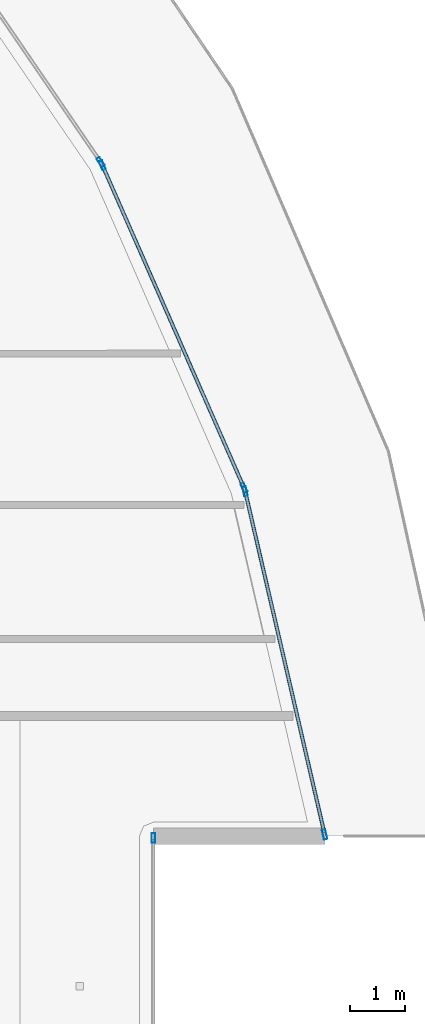
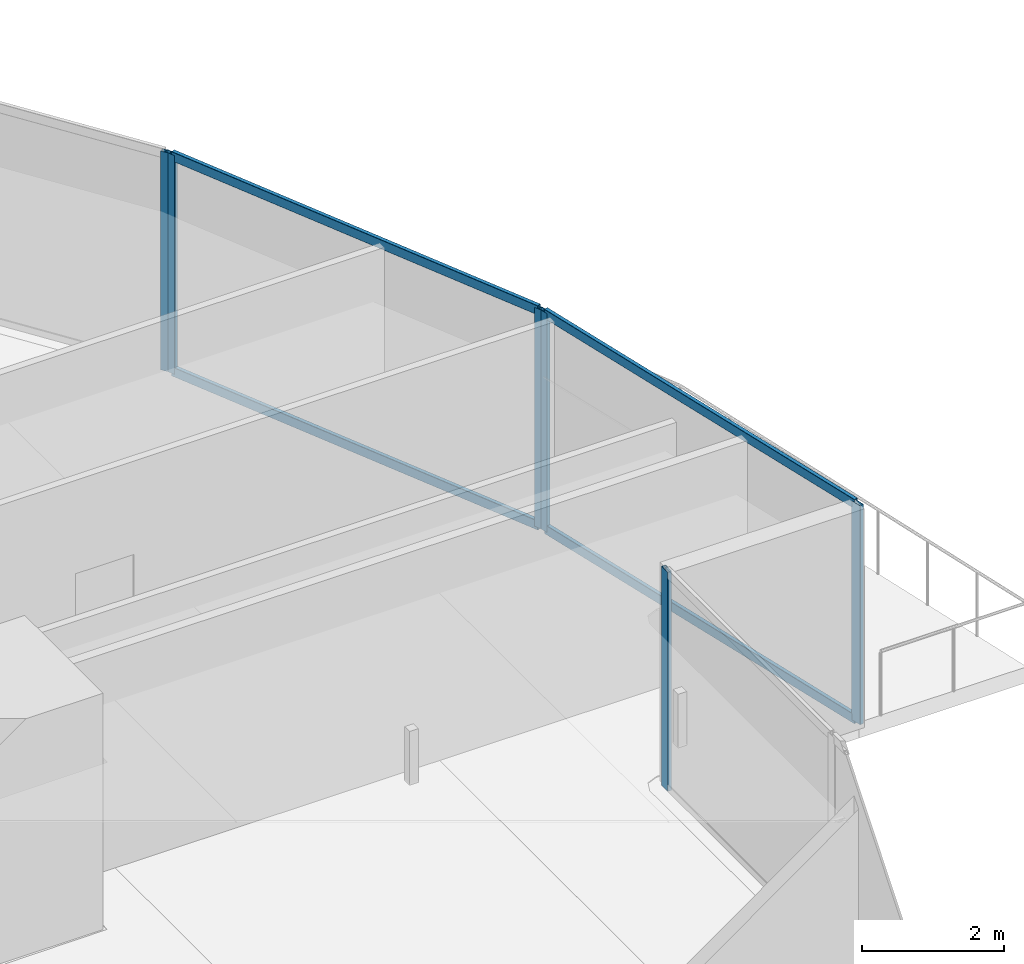
# One storey, part 19 of 36: 10 members, 4 elements without a shape of their own.
"""IFC4 building model written with IfcOpenShell, lengths in metres."""

from ifc_helpers import new_model, si_unit, direction, frame, origin, origin_2d, place, context, subcontext, project, spatial, hollow_rectangle, extrude, material, layer, layer_set, material_profile, profile_set, type_object, element, aggregate, save


model = new_model("IFC4")

# Units and contexts
model_context = context("Model", 3, precision=1e-05, world=origin(), true_north=direction((0.0, 1.0)))
body_context = subcontext(model_context, "Body", "Model", "MODEL_VIEW")
ifc_project = project(units=[si_unit("LENGTHUNIT", "METRE"), si_unit("AREAUNIT", "SQUARE_METRE"), si_unit("VOLUMEUNIT", "CUBIC_METRE"), si_unit("PLANEANGLEUNIT", "RADIAN"), si_unit("MASSUNIT", "GRAM", prefix="KILO")], contexts=[model_context])

# Site, building, storey
site_placement = place(None, origin())
site = spatial("IfcSite", under=ifc_project, at=site_placement, CompositionType="ELEMENT")
building_placement = place(site_placement, origin())
building = spatial("IfcBuilding", under=site, at=building_placement, Name="Qorvath Tower", CompositionType="ELEMENT")
storey_placement = place(building_placement, frame((0.0, 0.0, 170.550048828125)))
storey = spatial("IfcBuildingStorey", under=building, at=storey_placement, Name="L39", CompositionType="ELEMENT", Elevation=170.550048828125)

# Curtain wall, member
ifc_material_1 = material(Name="Anodised aluminium and triple low-E glass", Category="aluminium")
ifc_layer = layer(ifc_material_1, 0.179931640625)
ifc_layer_set = layer_set([ifc_layer], Name="CW-SYS-3")
curtain_wall_type = type_object("IfcCurtainWallType", Name="CW-SYS-3", PredefinedType="NOTDEFINED", material=ifc_layer_set)
curtain_wall_1_placement = place(storey_placement, origin())
curtain_wall_1 = element("IfcCurtainWall", 1, at=curtain_wall_1_placement, inside=storey, type_object=curtain_wall_type, Name="Curtain Wall CW-3 CW-T-L39-9.1", PredefinedType="NOTDEFINED")
ifc_material_2 = material(Name="Anodised aluminium 6063-T6", Category="aluminium")
ifc_material_profile_1 = material_profile(ifc_material_2, hollow_rectangle(XDim=0.06494140625, YDim=0.179931640625, WallThickness=0.00341796875, InnerFilletRadius=0.00341796875, OuterFilletRadius=0.007080078125, at=origin_2d()), Name="CWM 180x65")
ifc_profile_set_1 = profile_set([ifc_material_profile_1], Name="Anodised aluminium 6063-T6")
member_type_1 = type_object("IfcMemberType", Name="CWM-180", PredefinedType="MULLION", material=ifc_profile_set_1)
member_1_placement = place(storey_placement, frame((-0.183837890625, 4.67626953125, 0.0), z_axis=(0.0, 0.0, 1.0), x_axis=(-1.0, 0.0, 0.0)))
member_1 = element("IfcMember", 2, at=member_1_placement, type_object=member_type_1, Name="CW-3 mullion 3", PredefinedType="MULLION", context=body_context, shape_type="SweptSolid", body=[
    extrude(hollow_rectangle(XDim=0.06494140625, YDim=0.179931640625, WallThickness=0.00341796875, InnerFilletRadius=0.00341796875, OuterFilletRadius=0.007080078125, at=origin_2d()), origin(), (0.0, 0.0, 1.0), 3.75),
])
aggregate(curtain_wall_1, [member_1])

# Curtain wall, members
curtain_wall_2_placement = place(storey_placement, origin())
curtain_wall_2 = element("IfcCurtainWall", 3, at=curtain_wall_2_placement, inside=storey, type_object=curtain_wall_type, Name="Curtain Wall CW-3 CW-T-L39-11.1", PredefinedType="NOTDEFINED")
member_2_placement = place(storey_placement, frame((2.947998046875, 4.740478515625, 0.0), z_axis=(0.0, 0.0, 1.0), x_axis=(-0.974175693099, -0.225791317315, 0.0)))
member_2 = element("IfcMember", 4, at=member_2_placement, type_object=member_type_1, Name="CW-3 mullion 1", PredefinedType="MULLION", context=body_context, shape_type="SweptSolid", body=[
    extrude(hollow_rectangle(XDim=0.06494140625, YDim=0.179931640625, WallThickness=0.00341796875, InnerFilletRadius=0.00341796875, OuterFilletRadius=0.007080078125, at=origin_2d()), origin(), (0.0, 0.0, 1.0), 3.75),
])
member_3_placement = place(storey_placement, frame((1.493896484375, 11.013671875, 0.0), z_axis=(0.0, 0.0, 1.0), x_axis=(-0.974175693099, -0.225791317315, 0.0)))
member_3 = element("IfcMember", 5, at=member_3_placement, type_object=member_type_1, Name="CW-3 mullion 2", PredefinedType="MULLION", context=body_context, shape_type="SweptSolid", body=[
    extrude(hollow_rectangle(XDim=0.06494140625, YDim=0.179931640625, WallThickness=0.00341796875, InnerFilletRadius=0.00341796875, OuterFilletRadius=0.007080078125, at=origin_2d()), origin(), (0.0, 0.0, 1.0), 3.75),
])

curtain_wall_3_placement = place(storey_placement, origin())
curtain_wall_3 = element("IfcCurtainWall", 6, at=curtain_wall_3_placement, inside=storey, type_object=curtain_wall_type, Name="Curtain Wall CW-3 CW-T-L39-12.1", PredefinedType="NOTDEFINED")
member_4_placement = place(storey_placement, frame((1.4736328125, 11.0751953125, 0.0), z_axis=(0.0, 0.0, 1.0), x_axis=(-0.915629399612, -0.402023385597, 0.0)))
member_4 = element("IfcMember", 7, at=member_4_placement, type_object=member_type_1, Name="CW-3 mullion 1", PredefinedType="MULLION", context=body_context, shape_type="SweptSolid", body=[
    extrude(hollow_rectangle(XDim=0.06494140625, YDim=0.179931640625, WallThickness=0.00341796875, InnerFilletRadius=0.00341796875, OuterFilletRadius=0.007080078125, at=origin_2d()), origin(), (0.0, 0.0, 1.0), 3.75),
])
member_5_placement = place(storey_placement, frame((-1.115234375, 16.971435546875, 0.0), z_axis=(0.0, 0.0, 1.0), x_axis=(-0.915629399612, -0.402023385597, 0.0)))
member_5 = element("IfcMember", 8, at=member_5_placement, type_object=member_type_1, Name="CW-3 mullion 2", PredefinedType="MULLION", context=body_context, shape_type="SweptSolid", body=[
    extrude(hollow_rectangle(XDim=0.06494140625, YDim=0.179931640625, WallThickness=0.00341796875, InnerFilletRadius=0.00341796875, OuterFilletRadius=0.007080078125, at=origin_2d()), origin(), (0.0, 0.0, 1.0), 3.75),
])

# Curtain wall, member
curtain_wall_4_placement = place(storey_placement, origin())
curtain_wall_4 = element("IfcCurtainWall", 9, at=curtain_wall_4_placement, inside=storey, type_object=curtain_wall_type, Name="Curtain Wall CW-3 CW-T-L39-13.1", PredefinedType="NOTDEFINED")
member_6_placement = place(storey_placement, frame((-1.146728515625, 17.028076171875, 0.0), z_axis=(0.0, 0.0, 1.0), x_axis=(-0.82552478625, -0.564365862971, 0.0)))
member_6 = element("IfcMember", 10, at=member_6_placement, type_object=member_type_1, Name="CW-3 mullion 1", PredefinedType="MULLION", context=body_context, shape_type="SweptSolid", body=[
    extrude(hollow_rectangle(XDim=0.06494140625, YDim=0.179931640625, WallThickness=0.00341796875, InnerFilletRadius=0.00341796875, OuterFilletRadius=0.007080078125, at=origin_2d()), origin(), (0.0, 0.0, 1.0), 3.75),
])
aggregate(curtain_wall_4, [member_6])

# Member
ifc_material_3 = material(Name="Anodised aluminium 6063-T6", Category="aluminium")
ifc_material_profile_2 = material_profile(ifc_material_3, hollow_rectangle(XDim=0.06494140625, YDim=0.159912109375, WallThickness=0.00341796875, InnerFilletRadius=0.00341796875, OuterFilletRadius=0.007080078125, at=origin_2d()), Name="CWT 160x65")
ifc_profile_set_2 = profile_set([ifc_material_profile_2], Name="Anodised aluminium 6063-T6")
member_type_2 = type_object("IfcMemberType", Name="CWT-160", PredefinedType="USERDEFINED", material=ifc_profile_set_2)
member_7_placement = place(storey_placement, frame((2.940673828125, 4.77197265625, 0.032470703125), z_axis=(-0.225801993048, 0.97417321865, 0.0), x_axis=(-0.97417321865, -0.225801993048, 0.0)))
member_7 = element("IfcMember", 11, at=member_7_placement, type_object=member_type_2, Name="CW-3 transom 1.1", ObjectType="TRANSOM", PredefinedType="USERDEFINED", context=body_context, shape_type="SweptSolid", body=[
    extrude(hollow_rectangle(XDim=0.06494140625, YDim=0.159912109375, WallThickness=0.00341796875, InnerFilletRadius=0.00341796875, OuterFilletRadius=0.007080078125, at=origin_2d()), origin(), (0.0, 0.0, 1.0), 6.374755859375),
])

member_8_placement = place(storey_placement, frame((2.940673828125, 4.77197265625, 3.717529296875), z_axis=(-0.225801993048, 0.97417321865, 0.0), x_axis=(-0.97417321865, -0.225801993048, 0.0)))
member_8 = element("IfcMember", 12, at=member_8_placement, type_object=member_type_2, Name="CW-3 transom 1.2", ObjectType="TRANSOM", PredefinedType="USERDEFINED", context=body_context, shape_type="SweptSolid", body=[
    extrude(hollow_rectangle(XDim=0.06494140625, YDim=0.159912109375, WallThickness=0.00341796875, InnerFilletRadius=0.00341796875, OuterFilletRadius=0.007080078125, at=origin_2d()), origin(), (0.0, 0.0, 1.0), 6.374755859375),
])

aggregate(curtain_wall_2, [member_2, member_3, member_7, member_8])

member_9_placement = place(storey_placement, frame((1.46044921875, 11.10498046875, 0.032470703125), z_axis=(-0.402030003939, 0.915626493682, 0.0), x_axis=(-0.915626493682, -0.402030003939, 0.0)))
member_9 = element("IfcMember", 13, at=member_9_placement, type_object=member_type_2, Name="CW-3 transom 1.1", ObjectType="TRANSOM", PredefinedType="USERDEFINED", context=body_context, shape_type="SweptSolid", body=[
    extrude(hollow_rectangle(XDim=0.06494140625, YDim=0.159912109375, WallThickness=0.00341796875, InnerFilletRadius=0.00341796875, OuterFilletRadius=0.007080078125, at=origin_2d()), origin(), (0.0, 0.0, 1.0), 6.37451171875),
])

member_10_placement = place(storey_placement, frame((1.46044921875, 11.10498046875, 3.717529296875), z_axis=(-0.402030003939, 0.915626493682, 0.0), x_axis=(-0.915626493682, -0.402030003939, 0.0)))
member_10 = element("IfcMember", 14, at=member_10_placement, type_object=member_type_2, Name="CW-3 transom 1.2", ObjectType="TRANSOM", PredefinedType="USERDEFINED", context=body_context, shape_type="SweptSolid", body=[
    extrude(hollow_rectangle(XDim=0.06494140625, YDim=0.159912109375, WallThickness=0.00341796875, InnerFilletRadius=0.00341796875, OuterFilletRadius=0.007080078125, at=origin_2d()), origin(), (0.0, 0.0, 1.0), 6.37451171875),
])

aggregate(curtain_wall_3, [member_4, member_5, member_9, member_10])

save(model, "model.ifc")
